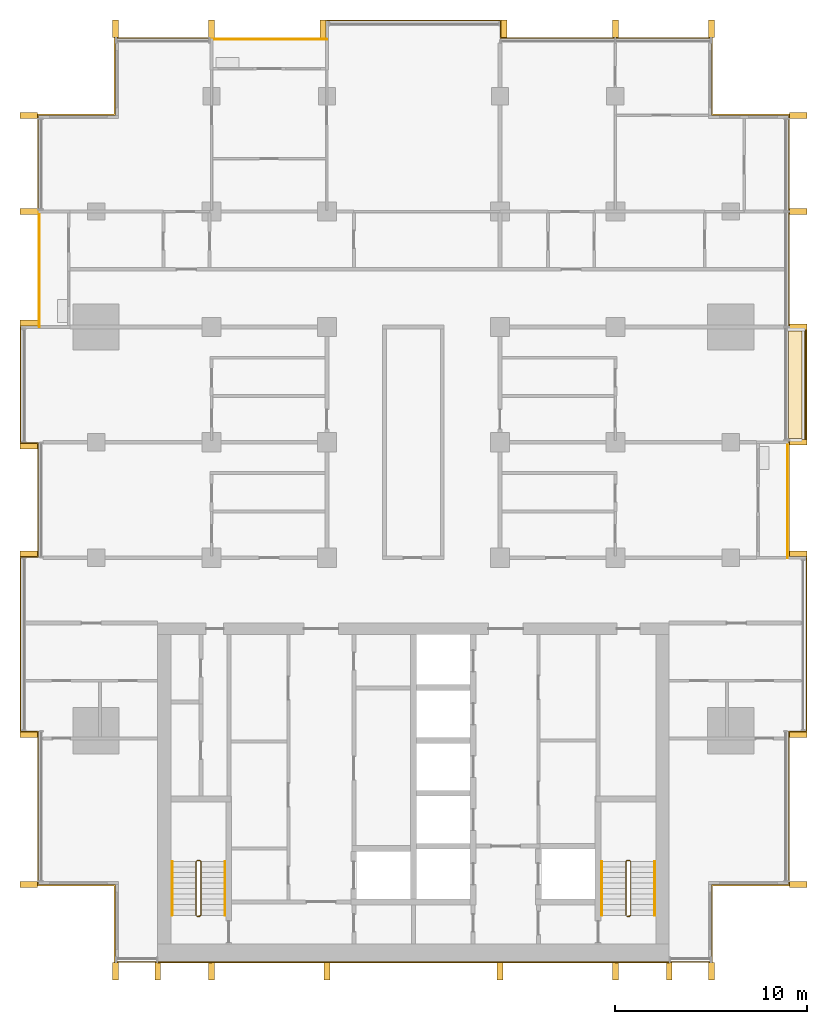
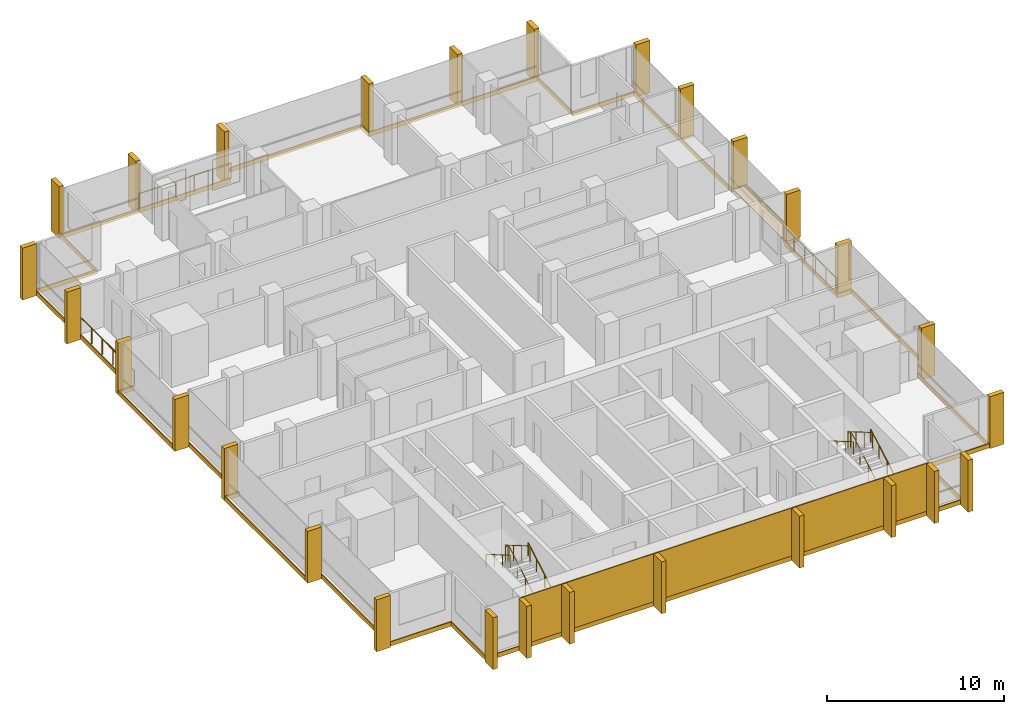
# One storey, part 16 of 16: 28 shading devices, 9 railings, 8 coverings.
"""IFC4 building model written with IfcOpenShell, lengths in metres."""

from ifc_helpers import new_model, si_unit, direction, frame, origin, origin_2d, place, context, subcontext, project, spatial, polyline, rectangle, circle, outline, extrude, material, layer, layer_set, type_object, element, save


model = new_model("IFC4")

# Units and contexts
model_context = context("Model", 3, precision=1e-05, world=origin(), true_north=direction((0.0, 1.0)))
body_context = subcontext(model_context, "Body", "Model", "MODEL_VIEW")
ifc_project = project(units=[si_unit("LENGTHUNIT", "METRE"), si_unit("AREAUNIT", "SQUARE_METRE"), si_unit("VOLUMEUNIT", "CUBIC_METRE"), si_unit("PLANEANGLEUNIT", "RADIAN"), si_unit("MASSUNIT", "GRAM", prefix="KILO")], contexts=[model_context])

# Site, building, storey
site_placement = place(None, origin())
site = spatial("IfcSite", under=ifc_project, at=site_placement, CompositionType="ELEMENT")
building_placement = place(site_placement, origin())
building = spatial("IfcBuilding", under=site, at=building_placement, Name="Finial Court Residences", CompositionType="ELEMENT")
storey_placement = place(building_placement, frame((0.0, 0.0, 163.699951171875)))
storey = spatial("IfcBuildingStorey", under=building, at=storey_placement, Name="L40", CompositionType="ELEMENT", Elevation=163.699951171875)

# Railings
ifc_material_1 = material(Name="Bronze anodised aluminium", Category="aluminium")
railing_type_1 = type_object("IfcRailingType", Name="Balcony guard 1100", PredefinedType="GUARDRAIL", material=ifc_material_1)
railing_1_placement = place(storey_placement, frame((-10.5, 22.449951171875, 0.0)))
element("IfcRailing", 1, at=railing_1_placement, inside=storey, type_object=railing_type_1, Name="E-L40-BALN2-R", PredefinedType="GUARDRAIL", context=body_context, shape_type="SweptSolid", body=[
    extrude(circle(Radius=0.02392578125, at=origin_2d()), frame((0.0, 0.0, 1.076171875), z_axis=(1.0, 0.0, 0.0), x_axis=(0.0, 1.0, 0.0)), (0.0, 0.0, 1.0), 6.0),
    extrude(circle(Radius=0.02099609375, at=origin_2d()), origin(), (0.0, 0.0, 1.0), 1.052001953125),
    extrude(circle(Radius=0.02099609375, at=origin_2d()), frame((1.199951171875, 0.0, 0.0)), (0.0, 0.0, 1.0), 1.052001953125),
    extrude(circle(Radius=0.02099609375, at=origin_2d()), frame((2.39990234375, 0.0, 0.0)), (0.0, 0.0, 1.0), 1.052001953125),
    extrude(circle(Radius=0.02099609375, at=origin_2d()), frame((3.60009765625, 0.0, 0.0)), (0.0, 0.0, 1.0), 1.052001953125),
    extrude(circle(Radius=0.02099609375, at=origin_2d()), frame((4.800048828125, 0.0, 0.0)), (0.0, 0.0, 1.0), 1.052001953125),
    extrude(circle(Radius=0.02099609375, at=origin_2d()), frame((6.0, 0.0, 0.0)), (0.0, 0.0, 1.0), 1.052001953125),
])
for number, where, name in (
    (2, (19.449951171875, -4.5, 0.0), "E-L40-BALE3-R"),
    (3, (-19.449951171875, 7.5, 0.0), "E-L40-BALW5-R"),
):
    element("IfcRailing", number, at=place(storey_placement, frame(where)), inside=storey, type_object=railing_type_1, Name=name, PredefinedType="GUARDRAIL", context=body_context, shape_type="SweptSolid", body=[
        extrude(circle(Radius=0.02392578125, at=origin_2d()), frame((0.0, 0.0, 1.076171875), z_axis=(0.0, 1.0, 0.0), x_axis=(-1.0, 0.0, 0.0)), (0.0, 0.0, 1.0), 6.0),
        extrude(circle(Radius=0.02099609375, at=origin_2d()), origin(), (0.0, 0.0, 1.0), 1.052001953125),
        extrude(circle(Radius=0.02099609375, at=origin_2d()), frame((0.0, 1.199951171875, 0.0)), (0.0, 0.0, 1.0), 1.052001953125),
        extrude(circle(Radius=0.02099609375, at=origin_2d()), frame((0.0, 2.39990234375, 0.0)), (0.0, 0.0, 1.0), 1.052001953125),
        extrude(circle(Radius=0.02099609375, at=origin_2d()), frame((0.0, 3.60009765625, 0.0)), (0.0, 0.0, 1.0), 1.052001953125),
        extrude(circle(Radius=0.02099609375, at=origin_2d()), frame((0.0, 4.800048828125, 0.0)), (0.0, 0.0, 1.0), 1.052001953125),
        extrude(circle(Radius=0.02099609375, at=origin_2d()), frame((0.0, 6.0, 0.0)), (0.0, 0.0, 1.0), 1.052001953125),
    ])

# Coverings
ifc_material_2 = material(Name="Natural limestone", Category="masonry")
ifc_layer_1 = layer(ifc_material_2, 0.06005859375)
ifc_layer_set_1 = layer_set([ifc_layer_1], Name="Limestone cladding to the blind core face 60")
covering_type_1 = type_object("IfcCoveringType", Name="Limestone cladding to the blind core face 60", PredefinedType="CLADDING", material=ifc_layer_set_1)
covering_1_placement = place(storey_placement, origin())
element("IfcCovering", 4, at=covering_1_placement, inside=storey, type_object=covering_type_1, Name="E-L40-CLAD1", PredefinedType="CLADDING", context=body_context, shape_type="SweptSolid", body=[
    extrude(outline(polyline([(-10.5, -25.56005859375), (-10.5, -25.5), (-13.300048828125, -25.5), (-13.300048828125, -25.56005859375), (-10.5, -25.56005859375)])), origin(), (0.0, 0.0, 1.0), 3.300048828125),
])
covering_2_placement = place(storey_placement, origin())
element("IfcCovering", 5, at=covering_2_placement, inside=storey, type_object=covering_type_1, Name="E-L40-CLAD2", PredefinedType="CLADDING", context=body_context, shape_type="SweptSolid", body=[
    extrude(outline(polyline([(-4.5, -25.56005859375), (-4.5, -25.5), (-10.5, -25.5), (-10.5, -25.56005859375), (-4.5, -25.56005859375)])), origin(), (0.0, 0.0, 1.0), 3.300048828125),
])
covering_3_placement = place(storey_placement, origin())
element("IfcCovering", 6, at=covering_3_placement, inside=storey, type_object=covering_type_1, Name="E-L40-CLAD3", PredefinedType="CLADDING", context=body_context, shape_type="SweptSolid", body=[
    extrude(outline(polyline([(4.5, -25.56005859375), (4.5, -25.5), (-4.5, -25.5), (-4.5, -25.56005859375), (4.5, -25.56005859375)])), origin(), (0.0, 0.0, 1.0), 3.300048828125),
])
covering_4_placement = place(storey_placement, origin())
element("IfcCovering", 7, at=covering_4_placement, inside=storey, type_object=covering_type_1, Name="E-L40-CLAD4", PredefinedType="CLADDING", context=body_context, shape_type="SweptSolid", body=[
    extrude(outline(polyline([(10.5, -25.56005859375), (10.5, -25.5), (4.5, -25.5), (4.5, -25.56005859375), (10.5, -25.56005859375)])), origin(), (0.0, 0.0, 1.0), 3.300048828125),
])
covering_5_placement = place(storey_placement, origin())
element("IfcCovering", 8, at=covering_5_placement, inside=storey, type_object=covering_type_1, Name="E-L40-CLAD5", PredefinedType="CLADDING", context=body_context, shape_type="SweptSolid", body=[
    extrude(outline(polyline([(13.300048828125, -25.56005859375), (13.300048828125, -25.5), (10.5, -25.5), (10.5, -25.56005859375), (13.300048828125, -25.56005859375)])), origin(), (0.0, 0.0, 1.0), 3.300048828125),
])

# Shading devices
shading_device_type = type_object("IfcShadingDeviceType", Name="Limestone fin 300 x 900", PredefinedType="USERDEFINED", material=ifc_material_2)
for number, where, z_axis, x_axis, name in (
    (9, (-15.5, 23.010009765625, -0.300048828125), (0.0, 0.0, 1.0), (1.0, 0.0, 0.0), "E-L40-FIN-N1"),
    (10, (-10.5, 23.010009765625, -0.300048828125), (0.0, 0.0, 1.0), (1.0, 0.0, 0.0), "E-L40-FIN-N2"),
    (11, (-4.7099609375, 23.010009765625, -0.300048828125), (0.0, 0.0, 1.0), (1.0, 0.0, 0.0), "E-L40-FIN-N3"),
    (12, (4.7099609375, 23.010009765625, -0.300048828125), (0.0, 0.0, 1.0), (1.0, 0.0, 0.0), "E-L40-FIN-N4"),
    (13, (10.5, 23.010009765625, -0.300048828125), (0.0, 0.0, 1.0), (1.0, 0.0, 0.0), "E-L40-FIN-N5"),
    (14, (15.5, 23.010009765625, -0.300048828125), (0.0, 0.0, 1.0), (1.0, 0.0, 0.0), "E-L40-FIN-N6"),
):
    element("IfcShadingDevice", number, at=place(storey_placement, frame(where, z_axis=z_axis, x_axis=x_axis)), inside=storey, type_object=shading_device_type, Name=name, ObjectType="FIN", PredefinedType="USERDEFINED", context=body_context, shape_type="SweptSolid", body=[
        extrude(rectangle(XDim=0.300048828125, YDim=0.89990234375, at=origin_2d()), origin(), (0.0, 0.0, 1.0), 3.580078125),
    ])
for number, where, z_axis, x_axis, name in (
    (15, (20.010009765625, -21.5, -0.300048828125), (0.0, 0.0, 1.0), (1.0, 0.0, 0.0), "E-L40-FIN-E7"),
    (16, (20.010009765625, -13.7099609375, -0.300048828125), (0.0, 0.0, 1.0), (1.0, 0.0, 0.0), "E-L40-FIN-E8"),
    (17, (20.010009765625, -4.2900390625, -0.300048828125), (0.0, 0.0, 1.0), (1.0, 0.0, 0.0), "E-L40-FIN-E9"),
):
    element("IfcShadingDevice", number, at=place(storey_placement, frame(where, z_axis=z_axis, x_axis=x_axis)), inside=storey, type_object=shading_device_type, Name=name, ObjectType="FIN", PredefinedType="USERDEFINED", context=body_context, shape_type="SweptSolid", body=[
        extrude(rectangle(XDim=0.89990234375, YDim=0.300048828125, at=origin_2d()), origin(), (0.0, 0.0, 1.0), 3.580078125),
    ])
for number, where, z_axis, x_axis, name in (
    (18, (20.010009765625, 1.5, 0.0400390625), (0.0, 0.0, 1.0), (1.0, 0.0, 0.0), "E-L40-FIN-E10"),
    (19, (20.010009765625, 7.5, 0.0400390625), (0.0, 0.0, 1.0), (1.0, 0.0, 0.0), "E-L40-FIN-E11"),
):
    element("IfcShadingDevice", number, at=place(storey_placement, frame(where, z_axis=z_axis, x_axis=x_axis)), inside=storey, type_object=shading_device_type, Name=name, ObjectType="FIN", PredefinedType="USERDEFINED", context=body_context, shape_type="SweptSolid", body=[
        extrude(rectangle(XDim=0.89990234375, YDim=0.300048828125, at=origin_2d()), origin(), (0.0, 0.0, 1.0), 3.239990234375),
    ])
for number, where, z_axis, x_axis, name in (
    (20, (20.010009765625, 13.5, -0.300048828125), (0.0, 0.0, 1.0), (1.0, 0.0, 0.0), "E-L40-FIN-E12"),
    (21, (20.010009765625, 18.5, -0.300048828125), (0.0, 0.0, 1.0), (1.0, 0.0, 0.0), "E-L40-FIN-E13"),
):
    element("IfcShadingDevice", number, at=place(storey_placement, frame(where, z_axis=z_axis, x_axis=x_axis)), inside=storey, type_object=shading_device_type, Name=name, ObjectType="FIN", PredefinedType="USERDEFINED", context=body_context, shape_type="SweptSolid", body=[
        extrude(rectangle(XDim=0.89990234375, YDim=0.300048828125, at=origin_2d()), origin(), (0.0, 0.0, 1.0), 3.580078125),
    ])
for number, where, z_axis, x_axis, name in (
    (22, (-15.5, -26.010009765625, -0.300048828125), (0.0, 0.0, 1.0), (1.0, 0.0, 0.0), "E-L40-FIN-S14"),
    (23, (-13.300048828125, -26.010009765625, -0.300048828125), (0.0, 0.0, 1.0), (1.0, 0.0, 0.0), "E-L40-FIN-S15"),
    (24, (-10.5, -26.010009765625, -0.300048828125), (0.0, 0.0, 1.0), (1.0, 0.0, 0.0), "E-L40-FIN-S16"),
    (25, (-4.5, -26.010009765625, -0.300048828125), (0.0, 0.0, 1.0), (1.0, 0.0, 0.0), "E-L40-FIN-S17"),
    (26, (4.5, -26.010009765625, -0.300048828125), (0.0, 0.0, 1.0), (1.0, 0.0, 0.0), "E-L40-FIN-S18"),
    (27, (10.5, -26.010009765625, -0.300048828125), (0.0, 0.0, 1.0), (1.0, 0.0, 0.0), "E-L40-FIN-S19"),
    (28, (13.300048828125, -26.010009765625, -0.300048828125), (0.0, 0.0, 1.0), (1.0, 0.0, 0.0), "E-L40-FIN-S20"),
    (29, (15.5, -26.010009765625, -0.300048828125), (0.0, 0.0, 1.0), (1.0, 0.0, 0.0), "E-L40-FIN-S21"),
):
    element("IfcShadingDevice", number, at=place(storey_placement, frame(where, z_axis=z_axis, x_axis=x_axis)), inside=storey, type_object=shading_device_type, Name=name, ObjectType="FIN", PredefinedType="USERDEFINED", context=body_context, shape_type="SweptSolid", body=[
        extrude(rectangle(XDim=0.300048828125, YDim=0.89990234375, at=origin_2d()), origin(), (0.0, 0.0, 1.0), 3.580078125),
    ])
for number, where, z_axis, x_axis, name in (
    (30, (-20.010009765625, -21.5, -0.300048828125), (0.0, 0.0, 1.0), (1.0, 0.0, 0.0), "E-L40-FIN-W22"),
    (31, (-20.010009765625, -13.7099609375, -0.300048828125), (0.0, 0.0, 1.0), (1.0, 0.0, 0.0), "E-L40-FIN-W23"),
    (32, (-20.010009765625, -4.2900390625, -0.300048828125), (0.0, 0.0, 1.0), (1.0, 0.0, 0.0), "E-L40-FIN-W24"),
    (33, (-20.010009765625, 1.2900390625, -0.300048828125), (0.0, 0.0, 1.0), (1.0, 0.0, 0.0), "E-L40-FIN-W25"),
    (34, (-20.010009765625, 7.7099609375, -0.300048828125), (0.0, 0.0, 1.0), (1.0, 0.0, 0.0), "E-L40-FIN-W26"),
    (35, (-20.010009765625, 13.5, -0.300048828125), (0.0, 0.0, 1.0), (1.0, 0.0, 0.0), "E-L40-FIN-W27"),
    (36, (-20.010009765625, 18.5, -0.300048828125), (0.0, 0.0, 1.0), (1.0, 0.0, 0.0), "E-L40-FIN-W28"),
):
    element("IfcShadingDevice", number, at=place(storey_placement, frame(where, z_axis=z_axis, x_axis=x_axis)), inside=storey, type_object=shading_device_type, Name=name, ObjectType="FIN", PredefinedType="USERDEFINED", context=body_context, shape_type="SweptSolid", body=[
        extrude(rectangle(XDim=0.89990234375, YDim=0.300048828125, at=origin_2d()), origin(), (0.0, 0.0, 1.0), 3.580078125),
    ])

# Coverings
ifc_material_3 = material(Name="Pale limestone", Category="masonry")
ifc_layer_2 = layer(ifc_material_3, 0.06005859375)
ifc_layer_set_2 = layer_set([ifc_layer_2], Name="Pale limestone slab-edge band 60")
covering_type_2 = type_object("IfcCoveringType", Name="Pale limestone slab-edge band 60", PredefinedType="CLADDING", material=ifc_layer_set_2)
covering_6_placement = place(storey_placement, frame((0.0, 0.0, -0.300048828125)))
element("IfcCovering", 37, at=covering_6_placement, inside=storey, type_object=covering_type_2, Name="E-L40-BAND1", PredefinedType="CLADDING", context=body_context, shape_type="SweptSolid", body=[
    extrude(outline(polyline([(20.4599609375, -13.56005859375), (19.56005859375, -13.56005859375), (19.56005859375, -21.56005859375), (15.56005859375, -21.56005859375), (15.56005859375, -25.56005859375), (-15.56005859375, -25.56005859375), (-15.56005859375, -21.56005859375), (-19.56005859375, -21.56005859375), (-19.56005859375, -13.56005859375), (-20.4599609375, -13.56005859375), (-20.4599609375, -4.43994140625), (-19.56005859375, -4.43994140625), (-19.56005859375, 1.43994140625), (-20.4599609375, 1.43994140625), (-20.4599609375, 7.56005859375), (-19.56005859375, 7.56005859375), (-19.56005859375, 18.56005859375), (-15.56005859375, 18.56005859375), (-15.56005859375, 22.56005859375), (-4.56005859375, 22.56005859375), (-4.56005859375, 23.4599609375), (4.56005859375, 23.4599609375), (4.56005859375, 22.56005859375), (15.56005859375, 22.56005859375), (15.56005859375, 18.56005859375), (19.56005859375, 18.56005859375), (19.56005859375, 7.56005859375), (20.4599609375, 7.56005859375), (20.4599609375, 1.43994140625), (19.56005859375, 1.43994140625), (19.56005859375, -4.43994140625), (20.4599609375, -4.43994140625), (20.4599609375, -13.56005859375)]), holes=[polyline([(19.5, -4.5), (19.5, 1.5), (20.39990234375, 1.5), (20.39990234375, 7.5), (19.5, 7.5), (19.5, 18.5), (15.5, 18.5), (15.5, 22.5), (4.5, 22.5), (4.5, 23.39990234375), (-4.5, 23.39990234375), (-4.5, 22.5), (-10.5, 22.5), (-15.5, 22.5), (-15.5, 18.5), (-19.5, 18.5), (-19.5, 13.5), (-19.5, 7.5), (-20.39990234375, 7.5), (-20.39990234375, 1.5), (-19.5, 1.5), (-19.5, -4.5), (-20.39990234375, -4.5), (-20.39990234375, -13.5), (-19.5, -13.5), (-19.5, -21.5), (-15.5, -21.5), (-15.5, -25.5), (15.5, -25.5), (15.5, -21.5), (19.5, -21.5), (19.5, -13.5), (20.39990234375, -13.5), (20.39990234375, -4.5), (19.5, -4.5)])]), origin(), (0.0, 0.0, 1.0), 0.300048828125),
])
ifc_material_4 = material(Name="Bitumen membrane")
ifc_layer_3 = layer(ifc_material_4, 0.0400390625)
ifc_layer_set_3 = layer_set([ifc_layer_3], Name="Push box roofing, bitumen membrane 40")
covering_type_3 = type_object("IfcCoveringType", Name="Push box roofing, bitumen membrane 40", PredefinedType="ROOFING", material=ifc_layer_set_3)
covering_7_placement = place(storey_placement, origin())
element("IfcCovering", 38, at=covering_7_placement, inside=storey, type_object=covering_type_3, Name="E-L40-LED1", PredefinedType="ROOFING", context=body_context, shape_type="SweptSolid", body=[
    extrude(outline(polyline([(19.5, 1.550048828125), (20.199951171875, 1.550048828125), (20.35009765625, 1.550048828125), (20.35009765625, 7.300048828125), (20.35009765625, 7.300048828125), (20.35009765625, 7.449951171875), (19.5, 7.449951171875), (19.5, 7.5), (20.39990234375, 7.5), (20.39990234375, 1.5), (19.5, 1.5), (19.5, 1.550048828125)])), origin(), (0.0, 0.0, 1.0), 0.0400390625),
])
covering_8_placement = place(storey_placement, origin())
element("IfcCovering", 39, at=covering_8_placement, inside=storey, type_object=covering_type_3, Name="E-L40-LED1b", PredefinedType="ROOFING", context=body_context, shape_type="SweptSolid", body=[
    extrude(outline(polyline([(19.5, 7.300048828125), (20.199951171875, 7.300048828125), (20.199951171875, 1.699951171875), (19.5, 1.699951171875), (19.5, 7.300048828125)])), origin(), (0.0, 0.0, 1.0), 0.0400390625),
])

# Railings
ifc_material_5 = material(Name="Stainless steel railing", Category="steel")
railing_type_2 = type_object("IfcRailingType", Name="Stair guard 1100", PredefinedType="GUARDRAIL", material=ifc_material_5)
railing_2_placement = place(storey_placement, frame((-11.10009765625, -23.14990234375, 0.0)))
element("IfcRailing", 40, at=railing_2_placement, inside=storey, type_object=railing_type_2, Name="L40 ST-1 stair guard 1", PredefinedType="GUARDRAIL", context=body_context, shape_type="SweptSolid", body=[
    extrude(circle(Radius=0.02392578125, at=origin_2d()), frame((0.0, 0.0, 1.076171875), z_axis=(-1.0, 0.0, 0.0), x_axis=(0.0, -1.0, 0.0)), (0.0, 0.0, 1.0), 0.14990234375),
    extrude(circle(Radius=0.02392578125, at=origin_2d()), frame((-0.14990234375, 0.0, 1.076171875), z_axis=(0.760004195007, 0.189305074214, 0.621737253547), x_axis=(-0.241699205484, 0.970351222016, 0.0)), (0.0, 0.0, 1.0), 0.26318359375),
    extrude(circle(Radius=0.02392578125, at=origin_2d()), frame((0.050048828125, 0.0498046875, 1.23974609375), z_axis=(0.0, 0.863360870873, 0.504586966384), x_axis=(-1.0, 0.0, 0.0)), (0.0, 0.0, 1.0), 3.2431640625),
    extrude(circle(Radius=0.02392578125, at=origin_2d()), frame((0.050048828125, 2.849853515625, 2.8759765625), z_axis=(-0.707106781187, 0.707106781187, 0.0), x_axis=(-0.707106781187, -0.707106781187, 0.0)), (0.0, 0.0, 1.0), 0.07080078125),
    extrude(circle(Radius=0.02392578125, at=origin_2d()), frame((0.0, 2.89990234375, 2.8759765625), z_axis=(-1.0, 0.0, 0.0), x_axis=(0.0, -1.0, 0.0)), (0.0, 0.0, 1.0), 0.14990234375),
    extrude(circle(Radius=0.02392578125, at=origin_2d()), frame((-0.14990234375, 2.89990234375, 2.8759765625), z_axis=(-0.280808744504, -0.280808744504, 0.917765164963), x_axis=(0.707106781187, -0.707106781187, 0.0)), (0.0, 0.0, 1.0), 0.17822265625),
    extrude(circle(Radius=0.02392578125, at=origin_2d()), frame((-0.199951171875, 2.849853515625, 3.03955078125), z_axis=(0.0, -0.863360870873, 0.504586966384), x_axis=(1.0, 0.0, 0.0)), (0.0, 0.0, 1.0), 3.2431640625),
    extrude(circle(Radius=0.02099609375, at=origin_2d()), origin(), (0.0, 0.0, 1.0), 1.052001953125),
    extrude(circle(Radius=0.02099609375, at=origin_2d()), frame((-0.14990234375, 0.0, 0.0)), (0.0, 0.0, 1.0), 1.052001953125),
    extrude(circle(Radius=0.02099609375, at=origin_2d()), frame((0.050048828125, 0.0498046875, 0.16357421875)), (0.0, 0.0, 1.0), 1.052001953125),
    extrude(circle(Radius=0.02099609375, at=origin_2d()), frame((0.050048828125, 0.983154296875, 0.708984375)), (0.0, 0.0, 1.0), 1.052001953125),
    extrude(circle(Radius=0.02099609375, at=origin_2d()), frame((0.050048828125, 1.91650390625, 1.254638671875)), (0.0, 0.0, 1.0), 1.052001953125),
    extrude(circle(Radius=0.02099609375, at=origin_2d()), frame((0.050048828125, 2.849853515625, 1.800048828125)), (0.0, 0.0, 1.0), 1.052001953125),
    extrude(circle(Radius=0.02099609375, at=origin_2d()), frame((0.0, 2.89990234375, 1.800048828125)), (0.0, 0.0, 1.0), 1.052001953125),
    extrude(circle(Radius=0.02099609375, at=origin_2d()), frame((-0.14990234375, 2.89990234375, 1.800048828125)), (0.0, 0.0, 1.0), 1.052001953125),
    extrude(circle(Radius=0.02099609375, at=origin_2d()), frame((-0.199951171875, 2.849853515625, 1.963623046875)), (0.0, 0.0, 1.0), 1.052001953125),
    extrude(circle(Radius=0.02099609375, at=origin_2d()), frame((-0.199951171875, 1.91650390625, 2.509033203125)), (0.0, 0.0, 1.0), 1.052001953125),
    extrude(circle(Radius=0.02099609375, at=origin_2d()), frame((-0.199951171875, 0.983154296875, 3.0546875)), (0.0, 0.0, 1.0), 1.052001953125),
    extrude(circle(Radius=0.02099609375, at=origin_2d()), frame((-0.199951171875, 0.0498046875, 3.60009765625)), (0.0, 0.0, 1.0), 1.052001953125),
])
railing_3_placement = place(storey_placement, frame((11.25, -23.14990234375, 0.0)))
element("IfcRailing", 41, at=railing_3_placement, inside=storey, type_object=railing_type_2, Name="L40 ST-2 stair guard 1", PredefinedType="GUARDRAIL", context=body_context, shape_type="SweptSolid", body=[
    extrude(circle(Radius=0.02392578125, at=origin_2d()), frame((0.0, 0.0, 1.076171875), z_axis=(-1.0, 0.0, 0.0), x_axis=(0.0, -1.0, 0.0)), (0.0, 0.0, 1.0), 0.14990234375),
    extrude(circle(Radius=0.02392578125, at=origin_2d()), frame((-0.14990234375, 0.0, 1.076171875), z_axis=(0.760004195007, 0.189305074214, 0.621737253547), x_axis=(-0.241699205484, 0.970351222016, 0.0)), (0.0, 0.0, 1.0), 0.26318359375),
    extrude(circle(Radius=0.02392578125, at=origin_2d()), frame((0.050048828125, 0.0498046875, 1.23974609375), z_axis=(0.0, 0.863360870873, 0.504586966384), x_axis=(-1.0, 0.0, 0.0)), (0.0, 0.0, 1.0), 3.2431640625),
    extrude(circle(Radius=0.02392578125, at=origin_2d()), frame((0.050048828125, 2.849853515625, 2.8759765625), z_axis=(-0.707106781187, 0.707106781187, 0.0), x_axis=(-0.707106781187, -0.707106781187, 0.0)), (0.0, 0.0, 1.0), 0.07080078125),
    extrude(circle(Radius=0.02392578125, at=origin_2d()), frame((0.0, 2.89990234375, 2.8759765625), z_axis=(-1.0, 0.0, 0.0), x_axis=(0.0, -1.0, 0.0)), (0.0, 0.0, 1.0), 0.14990234375),
    extrude(circle(Radius=0.02392578125, at=origin_2d()), frame((-0.14990234375, 2.89990234375, 2.8759765625), z_axis=(-0.280808744504, -0.280808744504, 0.917765164963), x_axis=(0.707106781187, -0.707106781187, 0.0)), (0.0, 0.0, 1.0), 0.17822265625),
    extrude(circle(Radius=0.02392578125, at=origin_2d()), frame((-0.199951171875, 2.849853515625, 3.03955078125), z_axis=(0.0, -0.863360870873, 0.504586966384), x_axis=(1.0, 0.0, 0.0)), (0.0, 0.0, 1.0), 3.2431640625),
    extrude(circle(Radius=0.02099609375, at=origin_2d()), origin(), (0.0, 0.0, 1.0), 1.052001953125),
    extrude(circle(Radius=0.02099609375, at=origin_2d()), frame((-0.14990234375, 0.0, 0.0)), (0.0, 0.0, 1.0), 1.052001953125),
    extrude(circle(Radius=0.02099609375, at=origin_2d()), frame((0.050048828125, 0.0498046875, 0.16357421875)), (0.0, 0.0, 1.0), 1.052001953125),
    extrude(circle(Radius=0.02099609375, at=origin_2d()), frame((0.050048828125, 0.983154296875, 0.708984375)), (0.0, 0.0, 1.0), 1.052001953125),
    extrude(circle(Radius=0.02099609375, at=origin_2d()), frame((0.050048828125, 1.91650390625, 1.254638671875)), (0.0, 0.0, 1.0), 1.052001953125),
    extrude(circle(Radius=0.02099609375, at=origin_2d()), frame((0.050048828125, 2.849853515625, 1.800048828125)), (0.0, 0.0, 1.0), 1.052001953125),
    extrude(circle(Radius=0.02099609375, at=origin_2d()), frame((0.0, 2.89990234375, 1.800048828125)), (0.0, 0.0, 1.0), 1.052001953125),
    extrude(circle(Radius=0.02099609375, at=origin_2d()), frame((-0.14990234375, 2.89990234375, 1.800048828125)), (0.0, 0.0, 1.0), 1.052001953125),
    extrude(circle(Radius=0.02099609375, at=origin_2d()), frame((-0.199951171875, 2.849853515625, 1.963623046875)), (0.0, 0.0, 1.0), 1.052001953125),
    extrude(circle(Radius=0.02099609375, at=origin_2d()), frame((-0.199951171875, 1.91650390625, 2.509033203125)), (0.0, 0.0, 1.0), 1.052001953125),
    extrude(circle(Radius=0.02099609375, at=origin_2d()), frame((-0.199951171875, 0.983154296875, 3.0546875)), (0.0, 0.0, 1.0), 1.052001953125),
    extrude(circle(Radius=0.02099609375, at=origin_2d()), frame((-0.199951171875, 0.0498046875, 3.60009765625)), (0.0, 0.0, 1.0), 1.052001953125),
])
railing_type_3 = type_object("IfcRailingType", Name="Stair handrail 900", PredefinedType="HANDRAIL", material=ifc_material_5)
railing_4_placement = place(storey_placement, frame((-9.800048828125, -23.10009765625, 0.16357421875)))
element("IfcRailing", 42, at=railing_4_placement, inside=storey, type_object=railing_type_3, Name="L40 ST-1 stair handrail 1", PredefinedType="HANDRAIL", context=body_context, shape_type="SweptSolid", body=[
    extrude(circle(Radius=0.02392578125, at=origin_2d()), frame((0.0, 0.0, 0.8759765625), z_axis=(0.0, 0.863360870873, 0.504586966384), x_axis=(-1.0, 0.0, 0.0)), (0.0, 0.0, 1.0), 3.2431640625),
    extrude(circle(Radius=0.02099609375, at=origin_2d()), origin(), (0.0, 0.0, 1.0), 0.851806640625),
    extrude(circle(Radius=0.02099609375, at=origin_2d()), frame((0.0, 0.933349609375, 0.54541015625)), (0.0, 0.0, 1.0), 0.851806640625),
    extrude(circle(Radius=0.02099609375, at=origin_2d()), frame((0.0, 1.86669921875, 1.091064453125)), (0.0, 0.0, 1.0), 0.851806640625),
    extrude(circle(Radius=0.02099609375, at=origin_2d()), frame((0.0, 2.800048828125, 1.636474609375)), (0.0, 0.0, 1.0), 0.851806640625),
])
railing_5_placement = place(storey_placement, frame((-12.550048828125, -20.300048828125, 1.963623046875)))
element("IfcRailing", 43, at=railing_5_placement, inside=storey, type_object=railing_type_3, Name="L40 ST-1 stair handrail 2", PredefinedType="HANDRAIL", context=body_context, shape_type="SweptSolid", body=[
    extrude(circle(Radius=0.02392578125, at=origin_2d()), frame((0.0, 0.0, 0.8759765625), z_axis=(0.0, -0.863360870873, 0.504586966384), x_axis=(1.0, 0.0, 0.0)), (0.0, 0.0, 1.0), 3.2431640625),
    extrude(circle(Radius=0.02099609375, at=origin_2d()), origin(), (0.0, 0.0, 1.0), 0.851806640625),
    extrude(circle(Radius=0.02099609375, at=origin_2d()), frame((0.0, -0.933349609375, 0.54541015625)), (0.0, 0.0, 1.0), 0.851806640625),
    extrude(circle(Radius=0.02099609375, at=origin_2d()), frame((0.0, -1.86669921875, 1.091064453125)), (0.0, 0.0, 1.0), 0.851806640625),
    extrude(circle(Radius=0.02099609375, at=origin_2d()), frame((0.0, -2.800048828125, 1.636474609375)), (0.0, 0.0, 1.0), 0.851806640625),
])
railing_6_placement = place(storey_placement, frame((12.550048828125, -23.10009765625, 0.16357421875)))
element("IfcRailing", 44, at=railing_6_placement, inside=storey, type_object=railing_type_3, Name="L40 ST-2 stair handrail 1", PredefinedType="HANDRAIL", context=body_context, shape_type="SweptSolid", body=[
    extrude(circle(Radius=0.02392578125, at=origin_2d()), frame((0.0, 0.0, 0.8759765625), z_axis=(0.0, 0.863360870873, 0.504586966384), x_axis=(-1.0, 0.0, 0.0)), (0.0, 0.0, 1.0), 3.2431640625),
    extrude(circle(Radius=0.02099609375, at=origin_2d()), origin(), (0.0, 0.0, 1.0), 0.851806640625),
    extrude(circle(Radius=0.02099609375, at=origin_2d()), frame((0.0, 0.933349609375, 0.54541015625)), (0.0, 0.0, 1.0), 0.851806640625),
    extrude(circle(Radius=0.02099609375, at=origin_2d()), frame((0.0, 1.86669921875, 1.091064453125)), (0.0, 0.0, 1.0), 0.851806640625),
    extrude(circle(Radius=0.02099609375, at=origin_2d()), frame((0.0, 2.800048828125, 1.636474609375)), (0.0, 0.0, 1.0), 0.851806640625),
])
railing_7_placement = place(storey_placement, frame((9.800048828125, -20.300048828125, 1.963623046875)))
element("IfcRailing", 45, at=railing_7_placement, inside=storey, type_object=railing_type_3, Name="L40 ST-2 stair handrail 2", PredefinedType="HANDRAIL", context=body_context, shape_type="SweptSolid", body=[
    extrude(circle(Radius=0.02392578125, at=origin_2d()), frame((0.0, 0.0, 0.8759765625), z_axis=(0.0, -0.863360870873, 0.504586966384), x_axis=(1.0, 0.0, 0.0)), (0.0, 0.0, 1.0), 3.2431640625),
    extrude(circle(Radius=0.02099609375, at=origin_2d()), origin(), (0.0, 0.0, 1.0), 0.851806640625),
    extrude(circle(Radius=0.02099609375, at=origin_2d()), frame((0.0, -0.933349609375, 0.54541015625)), (0.0, 0.0, 1.0), 0.851806640625),
    extrude(circle(Radius=0.02099609375, at=origin_2d()), frame((0.0, -1.86669921875, 1.091064453125)), (0.0, 0.0, 1.0), 0.851806640625),
    extrude(circle(Radius=0.02099609375, at=origin_2d()), frame((0.0, -2.800048828125, 1.636474609375)), (0.0, 0.0, 1.0), 0.851806640625),
])

save(model, "model.ifc")
